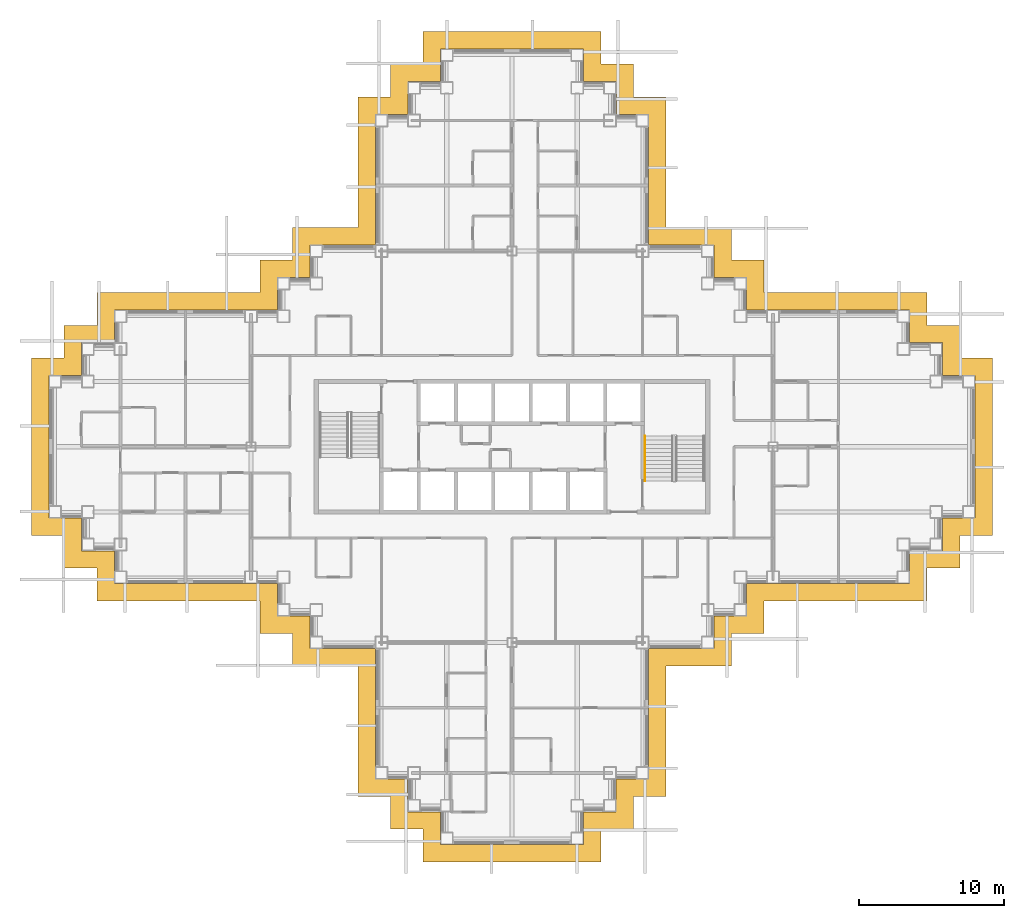
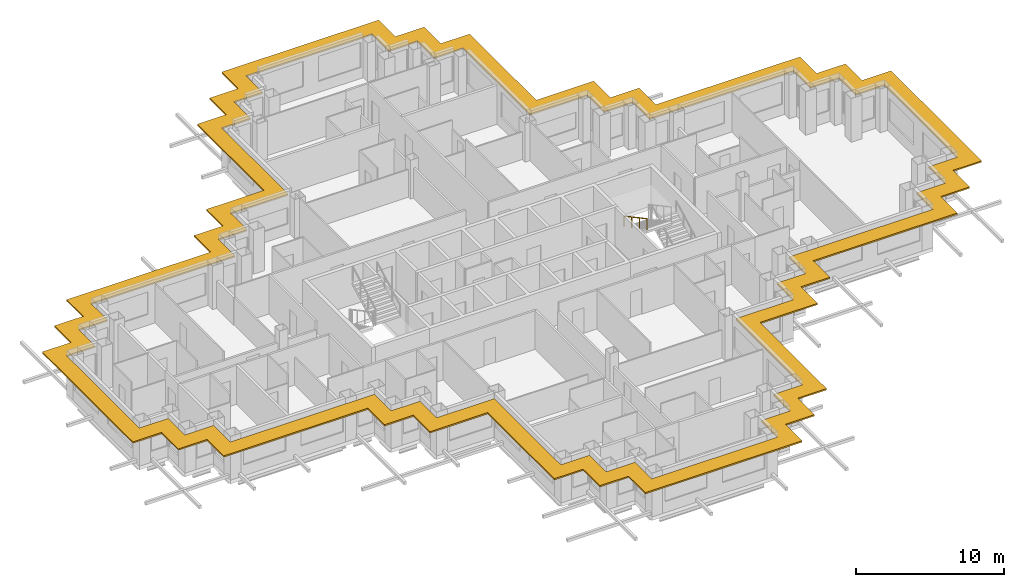
# One storey, part 16 of 17: 1 railing, 1 shading device.
"""IFC4 building model written with IfcOpenShell, lengths in metres."""

from ifc_helpers import new_model, si_unit, direction, frame, origin, origin_2d, place, context, subcontext, project, spatial, polyline, circle, outline, extrude, material, layer, layer_set, type_object, element, save


model = new_model("IFC4")

# Units and contexts
model_context = context("Model", 3, precision=1e-05, world=origin(), true_north=direction((0.0, 1.0)))
body_context = subcontext(model_context, "Body", "Model", "MODEL_VIEW")
ifc_project = project(units=[si_unit("LENGTHUNIT", "METRE"), si_unit("AREAUNIT", "SQUARE_METRE"), si_unit("VOLUMEUNIT", "CUBIC_METRE"), si_unit("PLANEANGLEUNIT", "RADIAN"), si_unit("MASSUNIT", "GRAM", prefix="KILO")], contexts=[model_context])

# Site, building, storey
site_placement = place(None, origin())
site = spatial("IfcSite", under=ifc_project, at=site_placement, CompositionType="ELEMENT")
building_placement = place(site_placement, origin())
building = spatial("IfcBuilding", under=site, at=building_placement, Name="Caravel Reach Hotel and Residences", CompositionType="ELEMENT")
storey_placement = place(building_placement, frame((0.0, 0.0, 136.800048828125)))
storey = spatial("IfcBuildingStorey", under=building, at=storey_placement, Name="L34", CompositionType="ELEMENT", Elevation=136.800048828125)

# Railing
ifc_material_1 = material(Name="Stainless steel handrail", Category="steel")
railing_type = type_object("IfcRailingType", Name="Handrail 900", PredefinedType="HANDRAIL", material=ifc_material_1)
railing_placement = place(storey_placement, frame((40.675048828125, 27.72998046875, 1.949951171875)))
element("IfcRailing", 1, at=railing_placement, inside=storey, type_object=railing_type, Name="L34 ST-B stair handrail 2", PredefinedType="HANDRAIL", context=body_context, shape_type="SweptSolid", body=[
    extrude(circle(Radius=0.02392578125, at=origin_2d()), frame((0.0, 0.0, 0.8759765625), z_axis=(0.0, -0.881496589024, 0.472190389079), x_axis=(1.0, 0.0, 0.0)), (0.0, 0.0, 1.0), 3.494140625),
    extrude(circle(Radius=0.02099609375, at=origin_2d()), origin(), (0.0, 0.0, 1.0), 0.851806640625),
    extrude(circle(Radius=0.02099609375, at=origin_2d()), frame((0.0, -1.026611328125, 0.550048828125)), (0.0, 0.0, 1.0), 0.851806640625),
    extrude(circle(Radius=0.02099609375, at=origin_2d()), frame((0.0, -2.053466796875, 1.099853515625)), (0.0, 0.0, 1.0), 0.851806640625),
    extrude(circle(Radius=0.02099609375, at=origin_2d()), frame((0.0, -3.080078125, 1.64990234375)), (0.0, 0.0, 1.0), 0.851806640625),
])

# Shading device
ifc_material_2 = material(Name="Black powder-coated aluminium", Category="aluminium")
ifc_layer = layer(ifc_material_2, 0.1201171875)
ifc_layer_set = layer_set([ifc_layer], Name="SS1 Sunshade band 1200")
shading_device_type = type_object("IfcShadingDeviceType", Name="SS1 Sunshade band 1200", PredefinedType="USERDEFINED", material=ifc_layer_set)
shading_device_placement = place(storey_placement, frame((0.0, 0.0, 3.0400390625)))
element("IfcShadingDevice", 2, at=shading_device_placement, inside=storey, type_object=shading_device_type, Name="Sunshade L34 1", ObjectType="SUNSHADE", PredefinedType="USERDEFINED", context=body_context, shape_type="SweptSolid", body=[
    extrude(outline(polyline([(20.875, 11.875), (20.875, 2.875), (23.125, 2.875), (23.125, 0.625), (25.375, 0.625), (25.375, -1.625), (37.625, -1.625), (37.625, 0.625), (39.875, 0.625), (39.875, 2.875), (42.125, 2.875), (42.125, 11.875), (46.625, 11.875), (46.625, 14.125), (48.875, 14.125), (48.875, 16.375), (60.125, 16.375), (60.125, 18.625), (62.375, 18.625), (62.375, 20.875), (64.625, 20.875), (64.625, 33.125), (62.375, 33.125), (62.375, 35.375), (60.125, 35.375), (60.125, 37.625), (48.875, 37.625), (48.875, 39.875), (46.625, 39.875), (46.625, 42.125), (42.125, 42.125), (42.125, 51.125), (39.875, 51.125), (39.875, 53.375), (37.625, 53.375), (37.625, 55.625), (25.375, 55.625), (25.375, 53.375), (23.125, 53.375), (23.125, 51.125), (20.875, 51.125), (20.875, 42.125), (16.375, 42.125), (16.375, 39.875), (14.125, 39.875), (14.125, 37.625), (2.875, 37.625), (2.875, 35.375), (0.625, 35.375), (0.625, 33.125), (-1.625, 33.125), (-1.625, 20.875), (0.625, 20.875), (0.625, 18.625), (2.875, 18.625), (2.875, 16.375), (14.125, 16.375), (14.125, 14.125), (16.375, 14.125), (16.375, 11.875), (20.875, 11.875)]), holes=[polyline([(24.324951171875, 4.074951171875), (22.074951171875, 4.074951171875), (22.074951171875, 13.074951171875), (17.574951171875, 13.074951171875), (17.574951171875, 15.324951171875), (15.324951171875, 15.324951171875), (15.324951171875, 17.574951171875), (4.074951171875, 17.574951171875), (4.074951171875, 19.824951171875), (1.824951171875, 19.824951171875), (1.824951171875, 22.074951171875), (-0.425048828125, 22.074951171875), (-0.425048828125, 31.925048828125), (1.824951171875, 31.925048828125), (1.824951171875, 34.175048828125), (4.074951171875, 34.175048828125), (4.074951171875, 36.425048828125), (15.324951171875, 36.425048828125), (15.324951171875, 38.675048828125), (17.574951171875, 38.675048828125), (17.574951171875, 40.925048828125), (22.074951171875, 40.925048828125), (22.074951171875, 49.925048828125), (24.324951171875, 49.925048828125), (24.324951171875, 52.175048828125), (26.574951171875, 52.175048828125), (26.574951171875, 54.425048828125), (36.425048828125, 54.425048828125), (36.425048828125, 52.175048828125), (38.675048828125, 52.175048828125), (38.675048828125, 49.925048828125), (40.925048828125, 49.925048828125), (40.925048828125, 40.925048828125), (45.425048828125, 40.925048828125), (45.425048828125, 38.675048828125), (47.675048828125, 38.675048828125), (47.675048828125, 36.425048828125), (58.925048828125, 36.425048828125), (58.925048828125, 34.175048828125), (61.175048828125, 34.175048828125), (61.175048828125, 31.925048828125), (63.425048828125, 31.925048828125), (63.425048828125, 22.074951171875), (61.175048828125, 22.074951171875), (61.175048828125, 19.824951171875), (58.925048828125, 19.824951171875), (58.925048828125, 17.574951171875), (47.675048828125, 17.574951171875), (47.675048828125, 15.324951171875), (45.425048828125, 15.324951171875), (45.425048828125, 13.074951171875), (40.925048828125, 13.074951171875), (40.925048828125, 4.074951171875), (38.675048828125, 4.074951171875), (38.675048828125, 1.824951171875), (36.425048828125, 1.824951171875), (36.425048828125, -0.425048828125), (26.574951171875, -0.425048828125), (26.574951171875, 1.824951171875), (24.324951171875, 1.824951171875), (24.324951171875, 4.074951171875)])]), origin(), (0.0, 0.0, 1.0), 0.119873046875),
])

save(model, "model.ifc")
